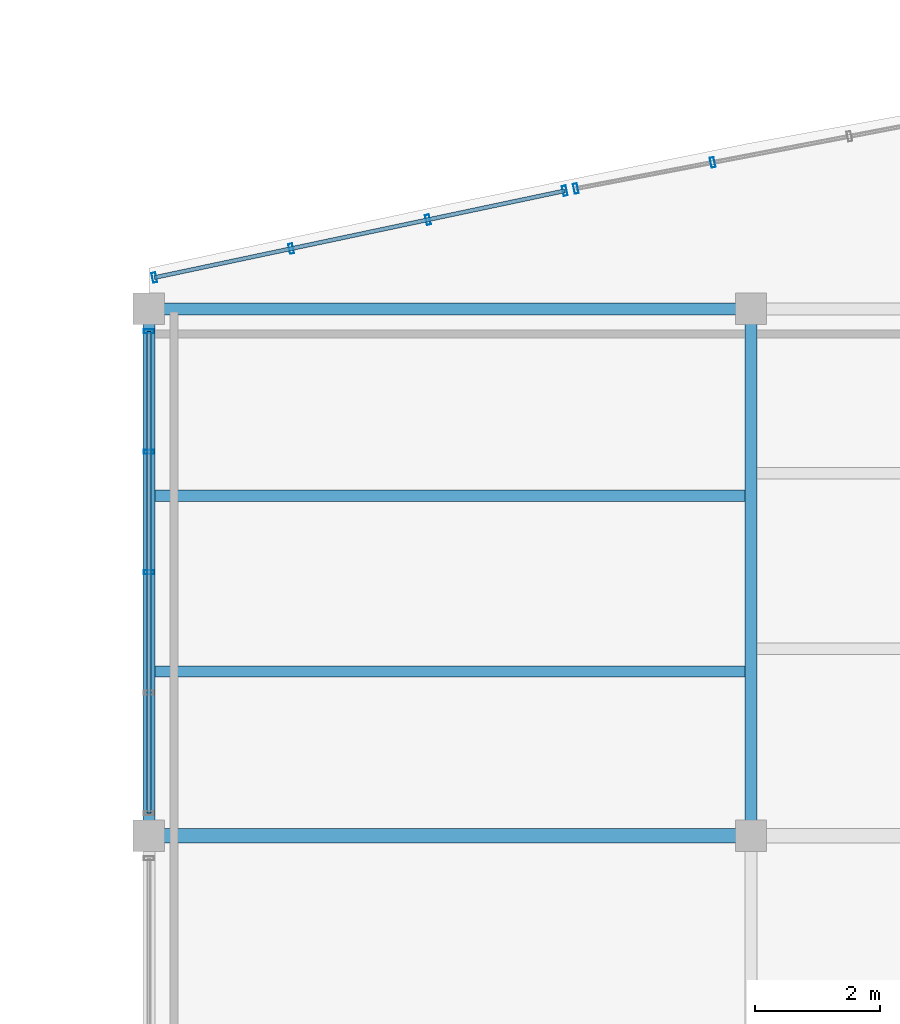
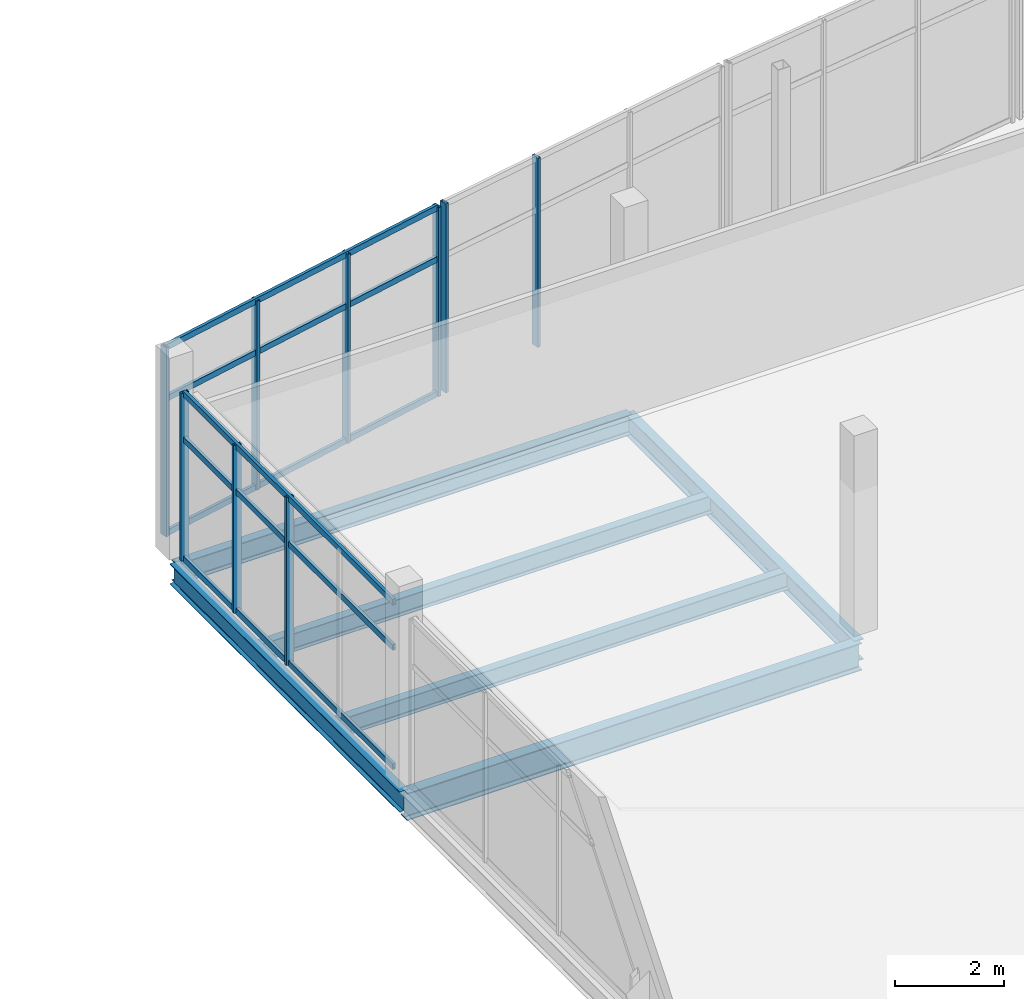
# One storey, part 55 of 114: 15 members, 6 beams, 3 elements without a shape of their own.
"""IFC4 building model written with IfcOpenShell, lengths in metres."""

import ifcopenshell
import ifcopenshell.guid

model = None  # the IFC model being written
_history = None  # IfcOwnerHistory: only IFC2X3 demands one
_inside = {}  # id of a spatial element -> (the spatial element, [elements in it])
_under = {}  # id of a project, library or spatial element -> (it, [spatial elements below it])
_declared = {}  # id of a project -> (the project, [libraries it declares])
_typed = {}  # id of a type object -> (the type object, [elements of that type])
_made_of = {}  # id of a material, layer set ... -> (it, [elements and type objects made of it])


def new_model(schema):
    """Start an empty IFC model of exactly this schema.

    Asked for "IFC4X3", IfcOpenShell would pick the latest addendum, in which some entities
    have other attributes; the version numbers below select the first issue.
    IFC2X3 requires an IfcOwnerHistory on every rooted entity: one is made here for all.
    """
    global model, _history
    if schema == "IFC4X3":
        model = ifcopenshell.file(schema_version=(4, 3, 0, 0))
    else:
        model = ifcopenshell.file(schema=schema)
    _inside.clear()
    _under.clear()
    _declared.clear()
    _typed.clear()
    _made_of.clear()
    _history = None
    if model.schema == "IFC2X3":
        org = make("IfcOrganization", Name="unknown")
        user = make(
            "IfcPersonAndOrganization",
            ThePerson=make("IfcPerson", FamilyName="unknown"),
            TheOrganization=org,
        )
        app = make(
            "IfcApplication",
            ApplicationDeveloper=org,
            Version="unknown",
            ApplicationFullName="unknown",
            ApplicationIdentifier="unknown",
        )
        _history = make(
            "IfcOwnerHistory",
            OwningUser=user,
            OwningApplication=app,
            ChangeAction="ADDED",
            CreationDate=0,
        )
    return model


def make(cls, **values):
    """One entity of the class cls with the attributes given. An attribute that is None is left unset."""
    return model.create_entity(
        cls, **{name: value for name, value in values.items() if value is not None}
    )


def rooted(cls, **values):
    """An entity with a GlobalId (a new one), such as an element, a storey or a relation."""
    return make(cls, GlobalId=ifcopenshell.guid.new(), OwnerHistory=_history, **values)


def si_unit(unit_type, name, prefix=None):
    """IfcSIUnit, for example si_unit("LENGTHUNIT", "METRE", prefix="MILLI")."""
    return make("IfcSIUnit", UnitType=unit_type, Prefix=prefix, Name=name)


def assignment(units):
    """IfcUnitAssignment: the units of a project."""
    return None if units is None else make("IfcUnitAssignment", Units=units)


def point(xyz):
    """IfcCartesianPoint."""
    return None if xyz is None else make("IfcCartesianPoint", Coordinates=xyz)


def direction(xyz):
    """IfcDirection."""
    return None if xyz is None else make("IfcDirection", DirectionRatios=xyz)


def frame(location, z_axis=None, x_axis=None):
    """IfcAxis2Placement3D, a coordinate frame: its origin and axes. An axis left out is left unset."""
    return make(
        "IfcAxis2Placement3D",
        Location=point(location),
        Axis=direction(z_axis),
        RefDirection=direction(x_axis),
    )


def frame_2d(location, x_axis=None):
    """IfcAxis2Placement2D, a coordinate frame in the plane: its origin and x axis."""
    return make(
        "IfcAxis2Placement2D", Location=point(location), RefDirection=direction(x_axis)
    )


def origin():
    """The frame at (0, 0, 0) with its axes left unset."""
    return frame((0.0, 0.0, 0.0))


def origin_2d():
    """The frame at (0, 0) in the plane with its x axis left unset."""
    return frame_2d((0.0, 0.0))


def place(relative_to, where):
    """IfcLocalPlacement: puts the frame where relative to a parent placement (None: the world)."""
    return make(
        "IfcLocalPlacement", PlacementRelTo=relative_to, RelativePlacement=where
    )


def context(
    kind, dimensions, precision=None, world=None, true_north=None, identifier=None
):
    """IfcGeometricRepresentationContext, for example the 3D "Model" context."""
    return make(
        "IfcGeometricRepresentationContext",
        ContextIdentifier=identifier,
        ContextType=kind,
        CoordinateSpaceDimension=dimensions,
        Precision=precision,
        WorldCoordinateSystem=world,
        TrueNorth=true_north,
    )


def subcontext(parent, identifier, kind, view, scale=None):
    """IfcGeometricRepresentationSubContext, for example "Body" below "Model"."""
    return make(
        "IfcGeometricRepresentationSubContext",
        ContextIdentifier=identifier,
        ContextType=kind,
        ParentContext=parent,
        TargetScale=scale,
        TargetView=view,
    )


def project(units=None, contexts=None):
    """IfcProject with its units and contexts."""
    return rooted(
        "IfcProject",
        Name="project",
        RepresentationContexts=contexts,
        UnitsInContext=assignment(units),
    )


def spatial(cls, under=None, at=None, **own):
    """A site, building, storey or space (cls), placed at a placement, below another one or the project."""
    s = rooted(cls, ObjectPlacement=at, **own)
    if under is not None:
        _under.setdefault(under.id(), (under, []))[1].append(s)
    return s


def profile(cls, at=None, kind="AREA", **sizes):
    """A parametric profile (cls). Its sizes go by their IFC names, for example OverallWidth=200.0."""
    return make(cls, ProfileType=kind, Position=at, **sizes)


def hollow_rectangle(**sizes):
    """IfcRectangleHollowProfileDef."""
    return profile("IfcRectangleHollowProfileDef", **sizes)


def i_section(**sizes):
    """IfcIShapeProfileDef."""
    return profile("IfcIShapeProfileDef", **sizes)


def extrude(swept, where, along, depth):
    """IfcExtrudedAreaSolid: the profile swept, set in the frame where, extruded along a direction by depth."""
    return make(
        "IfcExtrudedAreaSolid",
        SweptArea=swept,
        Position=where,
        ExtrudedDirection=direction(along),
        Depth=depth,
    )


def shape(context_of_items, identifier, shape_type, items):
    """IfcShapeRepresentation: the items that make up one representation, for example the "Body"."""
    return make(
        "IfcShapeRepresentation",
        ContextOfItems=context_of_items,
        RepresentationIdentifier=identifier,
        RepresentationType=shape_type,
        Items=items,
    )


def material(Name=None, Category=None):
    """IfcMaterial."""
    return make("IfcMaterial", Name=Name, Category=Category)


def layer(
    of_material, thickness, ventilated=None, Name=None, Category=None, Priority=None
):
    """IfcMaterialLayer: one layer of a wall or slab, of a material (None: an air gap)."""
    return make(
        "IfcMaterialLayer",
        Material=of_material,
        LayerThickness=thickness,
        IsVentilated=ventilated,
        Name=Name,
        Category=Category,
        Priority=Priority,
    )


def layer_set(layers, Name=None):
    """IfcMaterialLayerSet."""
    return make("IfcMaterialLayerSet", MaterialLayers=layers, LayerSetName=Name)


def material_profile(
    of_material, cross_section, Name=None, Category=None, Priority=None
):
    """IfcMaterialProfile: a cross section and its material."""
    return make(
        "IfcMaterialProfile",
        Name=Name,
        Material=of_material,
        Profile=cross_section,
        Priority=Priority,
        Category=Category,
    )


def profile_set(profiles, Name=None, composite=None):
    """IfcMaterialProfileSet."""
    return make(
        "IfcMaterialProfileSet",
        Name=Name,
        MaterialProfiles=profiles,
        CompositeProfile=composite,
    )


def made_of(thing, what):
    """Note that an element or type object is made of a material, layer set ...; save() writes the relation."""
    if what is not None:
        _made_of.setdefault(what.id(), (what, []))[1].append(thing)
    return thing


def type_object(cls, material=None, **own):
    """A type object (cls), such as IfcWallType, which elements share."""
    return made_of(rooted(cls, **own), material)


def element(
    cls,
    number,
    at=None,
    inside=None,
    cuts=None,
    type_object=None,
    material=None,
    context=None,
    identifier="Body",
    shape_type=None,
    held_by="IfcProductDefinitionShape",
    body=None,
    shapes=None,
    **own,
):
    """One element of the class cls, such as IfcWall. Its Tag is "e" and its number.

    at: its placement. inside: the storey or other place that contains it. cuts: it is an
    opening in that element (IfcRelVoidsElement). A single representation is given by context,
    identifier, shape_type and body (its items); several are given by shapes. held_by: the class
    of the entity that holds the representations. save() writes the other relations.
    """
    e = rooted(cls, Tag="e%d" % number, ObjectPlacement=at, **own)
    if body is not None:
        shapes = [shape(context, identifier, shape_type, body)]
    if shapes is not None:
        e.Representation = make(held_by, Representations=shapes)
    if inside is not None:
        _inside.setdefault(inside.id(), (inside, []))[1].append(e)
    if cuts is not None:
        rooted(
            "IfcRelVoidsElement", RelatingBuildingElement=cuts, RelatedOpeningElement=e
        )
    if type_object is not None:
        _typed.setdefault(type_object.id(), (type_object, []))[1].append(e)
    return made_of(e, material)


def aggregate(whole, parts):
    """IfcRelAggregates: a whole, such as a stair, and the parts it consists of."""
    return rooted("IfcRelAggregates", RelatingObject=whole, RelatedObjects=parts)


def save(model, path):
    """Write the relations noted so far, then the file.

    IfcRelAggregates (storeys below a building ...), IfcRelContainedInSpatialStructure (elements
    in a storey), IfcRelDefinesByType, IfcRelAssociatesMaterial and IfcRelDeclares: one each for
    every whole, place, type object, material and project.
    """
    for whole, parts in _under.values():
        aggregate(whole, parts)
    for where, things in _inside.values():
        rooted(
            "IfcRelContainedInSpatialStructure",
            RelatedElements=things,
            RelatingStructure=where,
        )
    for kind, things in _typed.values():
        rooted("IfcRelDefinesByType", RelatedObjects=things, RelatingType=kind)
    for what, things in _made_of.values():
        rooted("IfcRelAssociatesMaterial", RelatedObjects=things, RelatingMaterial=what)
    for by, libraries in _declared.values():
        rooted("IfcRelDeclares", RelatingContext=by, RelatedDefinitions=libraries)
    model.write(path)


model = new_model("IFC4")

# Units and contexts
model_context = context("Model", 3, precision=1e-05, world=origin(), true_north=direction((0.0, 1.0)))
body_context = subcontext(model_context, "Body", "Model", "MODEL_VIEW")
ifc_project = project(units=[si_unit("LENGTHUNIT", "METRE"), si_unit("AREAUNIT", "SQUARE_METRE"), si_unit("VOLUMEUNIT", "CUBIC_METRE"), si_unit("PLANEANGLEUNIT", "RADIAN"), si_unit("MASSUNIT", "GRAM", prefix="KILO")], contexts=[model_context])

# Site, building, storey
site_placement = place(None, origin())
site = spatial("IfcSite", under=ifc_project, at=site_placement, CompositionType="ELEMENT")
building_placement = place(site_placement, origin())
building = spatial("IfcBuilding", under=site, at=building_placement, Name="Chalmorin Arch Market", CompositionType="ELEMENT")
storey_placement = place(building_placement, frame((0.0, 0.0, 9.60009765625)))
storey = spatial("IfcBuildingStorey", under=building, at=storey_placement, Name="L02", CompositionType="ELEMENT", Elevation=9.60009765625)

# Curtain wall, members
ifc_material_1 = material(Name="Aluminium 6063-T6", Category="aluminium")
ifc_layer_1 = layer(ifc_material_1, 0.159912109375)
ifc_layer_set_1 = layer_set([ifc_layer_1], Name="Aluminium 6063-T6")
curtain_wall_type_1 = type_object("IfcCurtainWallType", Name="CulinaryStudioCurtainWall-CW3-7680x3750", PredefinedType="NOTDEFINED", material=ifc_layer_set_1)
curtain_wall_1_placement = place(storey_placement, origin())
curtain_wall_1 = element("IfcCurtainWall", 1, at=curtain_wall_1_placement, inside=storey, type_object=curtain_wall_type_1, Name="CW-03-119", PredefinedType="NOTDEFINED")
ifc_material_profile_1 = material_profile(ifc_material_1, hollow_rectangle(XDim=0.06494140625, YDim=0.159912109375, WallThickness=0.00390625, at=origin_2d()), Name="ALU65X160X4")
ifc_profile_set_1 = profile_set([ifc_material_profile_1], Name="Aluminium 6063-T6")
member_type_1 = type_object("IfcMemberType", Name="CurtainWallMullion-65x160", PredefinedType="MULLION", material=ifc_profile_set_1)
member_1_placement = place(storey_placement, frame((48.0, 113.800048828125, 0.0), z_axis=(0.0, 0.0, 1.0), x_axis=(0.0, 1.0, 0.0)))
member_1 = element("IfcMember", 2, at=member_1_placement, type_object=member_type_1, Name="ML-119-03", PredefinedType="MULLION", context=body_context, shape_type="SweptSolid", body=[
    extrude(hollow_rectangle(XDim=0.06494140625, YDim=0.159912109375, WallThickness=0.00390625, at=origin_2d()), origin(), (0.0, 0.0, 1.0), 3.745849609375),
])
member_2_placement = place(storey_placement, frame((48.0, 115.719970703125, 0.0), z_axis=(0.0, 0.0, 1.0), x_axis=(0.0, 1.0, 0.0)))
member_2 = element("IfcMember", 3, at=member_2_placement, type_object=member_type_1, Name="ML-119-04", PredefinedType="MULLION", context=body_context, shape_type="SweptSolid", body=[
    extrude(hollow_rectangle(XDim=0.06494140625, YDim=0.159912109375, WallThickness=0.00390625, at=origin_2d()), origin(), (0.0, 0.0, 1.0), 3.745849609375),
])
member_3_placement = place(storey_placement, frame((48.0, 117.639892578125, 0.0), z_axis=(0.0, 0.0, 1.0), x_axis=(0.0, 1.0, 0.0)))
member_3 = element("IfcMember", 4, at=member_3_placement, type_object=member_type_1, Name="ML-119-05", PredefinedType="MULLION", context=body_context, shape_type="SweptSolid", body=[
    extrude(hollow_rectangle(XDim=0.06494140625, YDim=0.159912109375, WallThickness=0.00390625, at=origin_2d()), origin(), (0.0, 0.0, 1.0), 3.745849609375),
])

ifc_layer_2 = layer(ifc_material_1, 0.159912109375)
ifc_layer_set_2 = layer_set([ifc_layer_2], Name="Aluminium 6063-T6")
curtain_wall_type_2 = type_object("IfcCurtainWallType", Name="CulinaryStudioCurtainWall-CW3-6690x4220", PredefinedType="NOTDEFINED", material=ifc_layer_set_2)
curtain_wall_2_placement = place(storey_placement, origin())
curtain_wall_2 = element("IfcCurtainWall", 5, at=curtain_wall_2_placement, inside=storey, type_object=curtain_wall_type_2, Name="CW-03-122", PredefinedType="NOTDEFINED")
member_4_placement = place(storey_placement, frame((48.088134765625, 118.49853515625, 0.0), z_axis=(0.0, 0.0, 1.0), x_axis=(0.978147600734, 0.207911690818, 0.0)))
member_4 = element("IfcMember", 6, at=member_4_placement, type_object=member_type_1, Name="ML-122-01", PredefinedType="MULLION", context=body_context, shape_type="SweptSolid", body=[
    extrude(hollow_rectangle(XDim=0.06494140625, YDim=0.159912109375, WallThickness=0.00390625, at=origin_2d()), origin(), (0.0, 0.0, 1.0), 4.219970703125),
])
member_5_placement = place(storey_placement, frame((50.269287109375, 118.9599609375, 0.0), z_axis=(0.0, 0.0, 1.0), x_axis=(0.978147600734, 0.207911690818, 0.0)))
member_5 = element("IfcMember", 7, at=member_5_placement, type_object=member_type_1, Name="ML-122-02", PredefinedType="MULLION", context=body_context, shape_type="SweptSolid", body=[
    extrude(hollow_rectangle(XDim=0.06494140625, YDim=0.159912109375, WallThickness=0.00390625, at=origin_2d()), origin(), (0.0, 0.0, 1.0), 4.219970703125),
])
member_6_placement = place(storey_placement, frame((52.45068359375, 119.421142578125, 0.0), z_axis=(0.0, 0.0, 1.0), x_axis=(0.978147600734, 0.207911690818, 0.0)))
member_6 = element("IfcMember", 8, at=member_6_placement, type_object=member_type_1, Name="ML-122-03", PredefinedType="MULLION", context=body_context, shape_type="SweptSolid", body=[
    extrude(hollow_rectangle(XDim=0.06494140625, YDim=0.159912109375, WallThickness=0.00390625, at=origin_2d()), origin(), (0.0, 0.0, 1.0), 4.219970703125),
])
member_7_placement = place(storey_placement, frame((54.6318359375, 119.88232421875, 0.0), z_axis=(0.0, 0.0, 1.0), x_axis=(0.978147600734, 0.207911690818, 0.0)))
member_7 = element("IfcMember", 9, at=member_7_placement, type_object=member_type_1, Name="ML-122-04", PredefinedType="MULLION", context=body_context, shape_type="SweptSolid", body=[
    extrude(hollow_rectangle(XDim=0.06494140625, YDim=0.159912109375, WallThickness=0.00390625, at=origin_2d()), origin(), (0.0, 0.0, 1.0), 4.219970703125),
])

ifc_layer_3 = layer(ifc_material_1, 0.159912109375)
ifc_layer_set_3 = layer_set([ifc_layer_3], Name="Aluminium 6063-T6")
curtain_wall_type_3 = type_object("IfcCurtainWallType", Name="CulinaryStudioCurtainWall-CW3-6660x4220", PredefinedType="NOTDEFINED", material=ifc_layer_set_3)
curtain_wall_3_placement = place(storey_placement, origin())
curtain_wall_3 = element("IfcCurtainWall", 10, at=curtain_wall_3_placement, inside=storey, type_object=curtain_wall_type_3, Name="CW-03-125", PredefinedType="NOTDEFINED")
member_8_placement = place(storey_placement, frame((54.808349609375, 119.91796875, 0.0), z_axis=(0.0, 0.0, 1.0), x_axis=(0.981627183448, 0.190808995377, 0.0)))
member_8 = element("IfcMember", 11, at=member_8_placement, type_object=member_type_1, Name="ML-125-01", PredefinedType="MULLION", context=body_context, shape_type="SweptSolid", body=[
    extrude(hollow_rectangle(XDim=0.06494140625, YDim=0.159912109375, WallThickness=0.00390625, at=origin_2d()), origin(), (0.0, 0.0, 1.0), 4.219970703125),
])
member_9_placement = place(storey_placement, frame((56.989501953125, 120.334228515625, 0.0), z_axis=(0.0, 0.0, 1.0), x_axis=(0.981627183448, 0.190808995377, 0.0)))
member_9 = element("IfcMember", 12, at=member_9_placement, type_object=member_type_1, Name="ML-125-02", PredefinedType="MULLION", context=body_context, shape_type="SweptSolid", body=[
    extrude(hollow_rectangle(XDim=0.06494140625, YDim=0.159912109375, WallThickness=0.00390625, at=origin_2d()), origin(), (0.0, 0.0, 1.0), 4.219970703125),
])
aggregate(curtain_wall_3, [member_8, member_9])

# Member
ifc_material_profile_2 = material_profile(ifc_material_1, hollow_rectangle(XDim=0.06494140625, YDim=0.1298828125, WallThickness=0.00390625, at=origin_2d()), Name="ALU65X130X4")
ifc_profile_set_2 = profile_set([ifc_material_profile_2], Name="Aluminium 6063-T6")
member_type_2 = type_object("IfcMemberType", Name="CurtainWallTransom-65x130", PredefinedType="USERDEFINED", material=ifc_profile_set_2)
member_10_placement = place(storey_placement, frame((48.0, 109.9599609375, 0.034912109375), z_axis=(0.0, 1.0, 0.0), x_axis=(-1.0, 0.0, 0.0)))
member_10 = element("IfcMember", 13, at=member_10_placement, type_object=member_type_2, Name="TR-119-01", ObjectType="TRANSOM", PredefinedType="USERDEFINED", context=body_context, shape_type="SweptSolid", body=[
    extrude(hollow_rectangle(XDim=0.06494140625, YDim=0.1298828125, WallThickness=0.00390625, at=origin_2d()), origin(), (0.0, 0.0, 1.0), 7.679931640625),
])

member_11_placement = place(storey_placement, frame((48.0, 109.9599609375, 2.697021484375), z_axis=(0.0, 1.0, 0.0), x_axis=(-1.0, 0.0, 0.0)))
member_11 = element("IfcMember", 14, at=member_11_placement, type_object=member_type_2, Name="TR-119-02", ObjectType="TRANSOM", PredefinedType="USERDEFINED", context=body_context, shape_type="SweptSolid", body=[
    extrude(hollow_rectangle(XDim=0.06494140625, YDim=0.1298828125, WallThickness=0.00390625, at=origin_2d()), origin(), (0.0, 0.0, 1.0), 7.679931640625),
])

member_12_placement = place(storey_placement, frame((48.0, 109.9599609375, 3.7109375), z_axis=(0.0, 1.0, 0.0), x_axis=(-1.0, 0.0, 0.0)))
member_12 = element("IfcMember", 15, at=member_12_placement, type_object=member_type_2, Name="TR-119-03", ObjectType="TRANSOM", PredefinedType="USERDEFINED", context=body_context, shape_type="SweptSolid", body=[
    extrude(hollow_rectangle(XDim=0.06494140625, YDim=0.1298828125, WallThickness=0.00390625, at=origin_2d()), origin(), (0.0, 0.0, 1.0), 7.679931640625),
])

aggregate(curtain_wall_1, [member_1, member_2, member_3, member_10, member_11, member_12])

member_13_placement = place(storey_placement, frame((48.088134765625, 118.49853515625, 0.034912109375), z_axis=(0.978363487727, 0.206893416723, 0.0), x_axis=(-0.206893416723, 0.978363487727, 0.0)))
member_13 = element("IfcMember", 16, at=member_13_placement, type_object=member_type_2, Name="TR-122-01", ObjectType="TRANSOM", PredefinedType="USERDEFINED", context=body_context, shape_type="SweptSolid", body=[
    extrude(hollow_rectangle(XDim=0.06494140625, YDim=0.1298828125, WallThickness=0.00390625, at=origin_2d()), origin(), (0.0, 0.0, 1.0), 6.6884765625),
])

member_14_placement = place(storey_placement, frame((48.088134765625, 118.49853515625, 3.038330078125), z_axis=(0.978363487727, 0.206893416723, 0.0), x_axis=(-0.206893416723, 0.978363487727, 0.0)))
member_14 = element("IfcMember", 17, at=member_14_placement, type_object=member_type_2, Name="TR-122-02", ObjectType="TRANSOM", PredefinedType="USERDEFINED", context=body_context, shape_type="SweptSolid", body=[
    extrude(hollow_rectangle(XDim=0.06494140625, YDim=0.1298828125, WallThickness=0.00390625, at=origin_2d()), origin(), (0.0, 0.0, 1.0), 6.6884765625),
])

member_15_placement = place(storey_placement, frame((48.088134765625, 118.49853515625, 4.184814453125), z_axis=(0.978363487727, 0.206893416723, 0.0), x_axis=(-0.206893416723, 0.978363487727, 0.0)))
member_15 = element("IfcMember", 18, at=member_15_placement, type_object=member_type_2, Name="TR-122-03", ObjectType="TRANSOM", PredefinedType="USERDEFINED", context=body_context, shape_type="SweptSolid", body=[
    extrude(hollow_rectangle(XDim=0.06494140625, YDim=0.1298828125, WallThickness=0.00390625, at=origin_2d()), origin(), (0.0, 0.0, 1.0), 6.6884765625),
])

aggregate(curtain_wall_2, [member_4, member_5, member_6, member_7, member_13, member_14, member_15])

# Beams
ifc_material_2 = material(Name="Steel A992 Grade 50", Category="steel")
ifc_material_profile_3 = material_profile(ifc_material_2, i_section(OverallWidth=0.193115234375, OverallDepth=0.466064453125, WebThickness=0.011474609375, FlangeThickness=0.01904296875, FilletRadius=0.02001953125, at=origin_2d()), Name="W18X65")
ifc_profile_set_3 = profile_set([ifc_material_profile_3], Name="Steel A992 Grade 50")
beam_type_1 = type_object("IfcBeamType", Name="FloorSteelBeam-W18X65", PredefinedType="BEAM", material=ifc_profile_set_3)
beam_1_placement = place(storey_placement, frame((57.60009765625, 109.60009765625, -0.51513671875), z_axis=(0.0, 1.0, 0.0), x_axis=(-1.0, 0.0, 0.0)))
element("IfcBeam", 19, at=beam_1_placement, inside=storey, type_object=beam_type_1, Name="BM-W18A-1234", PredefinedType="BEAM", context=body_context, shape_type="SweptSolid", body=[
    extrude(i_section(OverallWidth=0.193115234375, OverallDepth=0.466064453125, WebThickness=0.011474609375, FlangeThickness=0.01904296875, FilletRadius=0.02001953125, at=origin_2d()), origin(), (0.0, 0.0, 1.0), 8.39990234375),
])
ifc_material_profile_4 = material_profile(ifc_material_2, i_section(OverallWidth=0.19091796875, OverallDepth=0.45703125, WebThickness=0.009033203125, FlangeThickness=0.014404296875, FilletRadius=0.02001953125, at=origin_2d()), Name="W18X50")
ifc_profile_set_4 = profile_set([ifc_material_profile_4], Name="Steel A992 Grade 50")
beam_type_2 = type_object("IfcBeamType", Name="PerimeterSpandrelBeam-W18X50", PredefinedType="SPANDREL", material=ifc_profile_set_4)
beam_2_placement = place(storey_placement, frame((48.0, 118.0, -0.510498046875), z_axis=(1.0, 0.0, 0.0), x_axis=(0.0, 1.0, 0.0)))
element("IfcBeam", 20, at=beam_2_placement, inside=storey, type_object=beam_type_2, Name="SP-W18-1232", PredefinedType="SPANDREL", context=body_context, shape_type="SweptSolid", body=[
    extrude(i_section(OverallWidth=0.19091796875, OverallDepth=0.45703125, WebThickness=0.009033203125, FlangeThickness=0.014404296875, FilletRadius=0.02001953125, at=origin_2d()), origin(), (0.0, 0.0, 1.0), 9.60009765625),
])
beam_3_placement = place(storey_placement, frame((48.0, 109.60009765625, -0.510498046875), z_axis=(0.0, 1.0, 0.0), x_axis=(-1.0, 0.0, 0.0)))
element("IfcBeam", 21, at=beam_3_placement, inside=storey, type_object=beam_type_2, Name="SP-W18-1233", PredefinedType="SPANDREL", context=body_context, shape_type="SweptSolid", body=[
    extrude(i_section(OverallWidth=0.19091796875, OverallDepth=0.45703125, WebThickness=0.009033203125, FlangeThickness=0.014404296875, FilletRadius=0.02001953125, at=origin_2d()), origin(), (0.0, 0.0, 1.0), 8.39990234375),
])
ifc_material_profile_5 = material_profile(ifc_material_2, i_section(OverallWidth=0.22802734375, OverallDepth=0.60791015625, WebThickness=0.01123046875, FlangeThickness=0.017333984375, FilletRadius=0.02392578125, at=origin_2d()), Name="W24X76")
ifc_profile_set_5 = profile_set([ifc_material_profile_5], Name="Steel A992 Grade 50")
beam_type_3 = type_object("IfcBeamType", Name="PrimarySteelGirder-W24X76", PredefinedType="BEAM", material=ifc_profile_set_5)
beam_4_placement = place(storey_placement, frame((48.0, 109.60009765625, -0.586181640625), z_axis=(1.0, 0.0, 0.0), x_axis=(0.0, 1.0, 0.0)))
element("IfcBeam", 22, at=beam_4_placement, inside=storey, type_object=beam_type_3, Name="BG-W24B-1229", PredefinedType="BEAM", context=body_context, shape_type="SweptSolid", body=[
    extrude(i_section(OverallWidth=0.22802734375, OverallDepth=0.60791015625, WebThickness=0.01123046875, FlangeThickness=0.017333984375, FilletRadius=0.02392578125, at=origin_2d()), origin(), (0.0, 0.0, 1.0), 9.60009765625),
])
ifc_material_profile_6 = material_profile(ifc_material_2, i_section(OverallWidth=0.177978515625, OverallDepth=0.403076171875, WebThickness=0.007568359375, FlangeThickness=0.010986328125, FilletRadius=0.01806640625, at=origin_2d()), Name="W16X36")
ifc_profile_set_6 = profile_set([ifc_material_profile_6], Name="Steel A992 Grade 50")
beam_type_4 = type_object("IfcBeamType", Name="SecondaryFloorJoist-W16X36", PredefinedType="JOIST", material=ifc_profile_set_6)
for number, where, z_axis, x_axis, name in (
    (23, (48.0, 112.219970703125, -0.483642578125), (1.0, 0.0, 0.0), (0.0, 1.0, 0.0), "BJ-W16B-1307"),
    (24, (48.0, 115.02001953125, -0.483642578125), (1.0, 0.0, 0.0), (0.0, 1.0, 0.0), "BJ-W16B-1308"),
):
    element("IfcBeam", number, at=place(storey_placement, frame(where, z_axis=z_axis, x_axis=x_axis)), inside=storey, type_object=beam_type_4, Name=name, PredefinedType="JOIST", context=body_context, shape_type="SweptSolid", body=[
        extrude(i_section(OverallWidth=0.177978515625, OverallDepth=0.403076171875, WebThickness=0.007568359375, FlangeThickness=0.010986328125, FilletRadius=0.01806640625, at=origin_2d()), origin(), (0.0, 0.0, 1.0), 9.60009765625),
    ])

save(model, "model.ifc")
